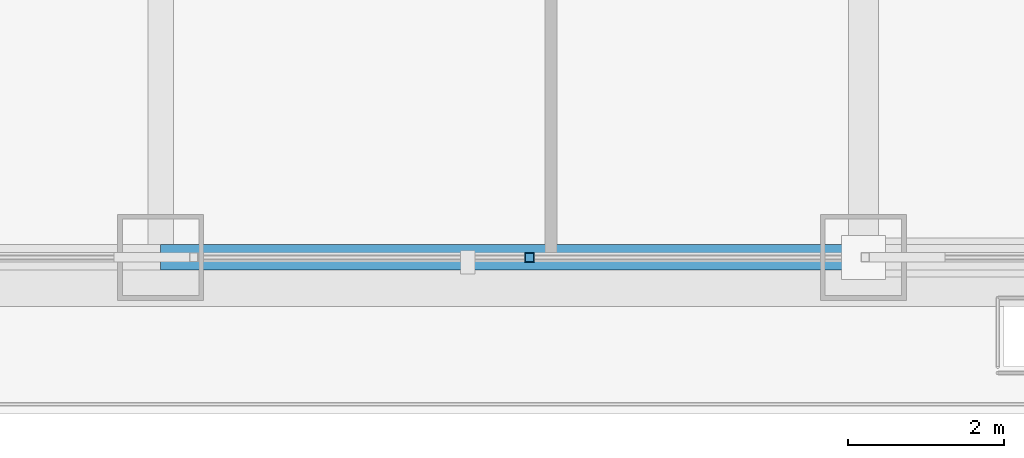
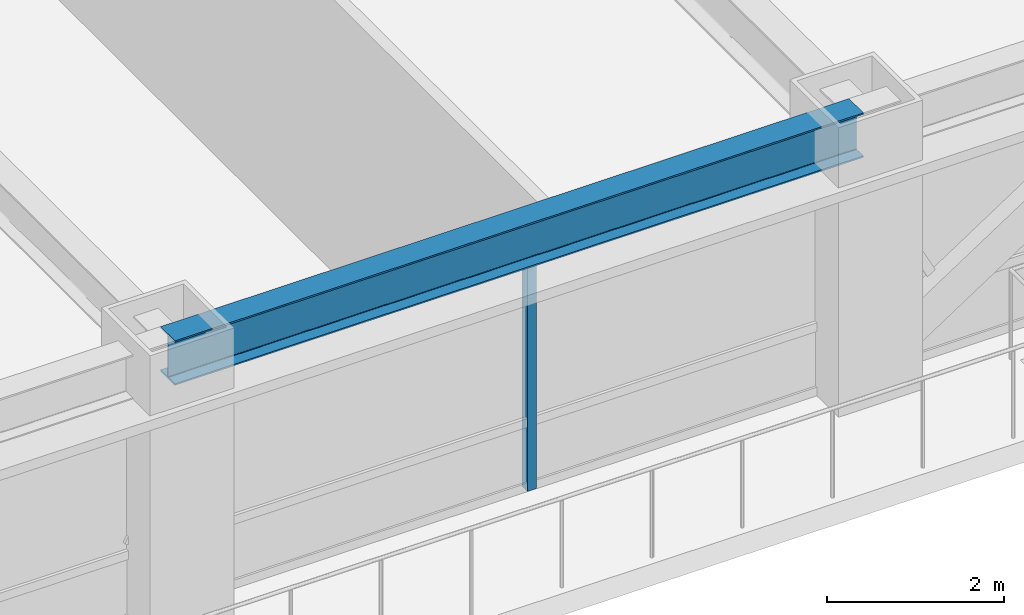
# One storey, part 3 of 35: 1 beam, 1 member, 1 element without a shape of its own.
"""IFC4 building model written with IfcOpenShell, lengths in metres."""

from ifc_helpers import new_model, si_unit, direction, frame, origin, origin_2d, place, context, subcontext, project, spatial, hollow_rectangle, i_section, extrude, source, transform, mapped, material, material_profile, profile_set, type_object, element, aggregate, save


model = new_model("IFC4")

# Units and contexts
model_context = context("Model", 3, precision=1e-05, world=origin(), true_north=direction((0.0, 1.0)))
body_context = subcontext(model_context, "Body", "Model", "MODEL_VIEW")
ifc_project = project(units=[si_unit("LENGTHUNIT", "METRE"), si_unit("AREAUNIT", "SQUARE_METRE"), si_unit("VOLUMEUNIT", "CUBIC_METRE"), si_unit("PLANEANGLEUNIT", "RADIAN"), si_unit("MASSUNIT", "GRAM", prefix="KILO")], contexts=[model_context])

# Site, building, storey
site_placement = place(None, origin())
site = spatial("IfcSite", under=ifc_project, at=site_placement, CompositionType="ELEMENT")
building_placement = place(site_placement, origin())
building = spatial("IfcBuilding", under=site, at=building_placement, Name="Khorayat Bourse Tower", CompositionType="ELEMENT")
storey_placement = place(building_placement, frame((0.0, 0.0, 155.10009765625)))
storey = spatial("IfcBuildingStorey", under=building, at=storey_placement, Name="L35", CompositionType="ELEMENT", Elevation=155.10009765625)

# Beam
ifc_material_1 = material(Name="Steel ASTM A992 Grade 50", Category="steel")
ifc_material_profile_1 = material_profile(ifc_material_1, i_section(OverallWidth=0.324951171875, OverallDepth=0.615966796875, WebThickness=0.013916015625, FlangeThickness=0.021484375, FilletRadius=0.01611328125, at=origin_2d()), Name="W610X174")
ifc_profile_set_1 = profile_set([ifc_material_profile_1], Name="Steel ASTM A992 Grade 50")
beam_type = type_object("IfcBeamType", Name="BM-SPAN-610", PredefinedType="SPANDREL", material=ifc_profile_set_1)
shared_shape_1 = source(origin(), body_context, "Body", "SweptSolid", [
    extrude(i_section(OverallWidth=0.324951171875, OverallDepth=0.615966796875, WebThickness=0.013916015625, FlangeThickness=0.021484375, FilletRadius=0.01611328125, at=origin_2d()), origin(), (0.0, 0.0, 1.0), 9.0),
])
beam_placement = place(storey_placement, frame((-20.0, -30.0, 3.471923828125), z_axis=(1.0, 0.0, 0.0), x_axis=(0.0, 1.0, 0.0)))
element("IfcBeam", 1, at=beam_placement, inside=storey, type_object=beam_type, Name="L35 BM-SPAN-610 BM-L35-SPN-025", PredefinedType="SPANDREL", context=body_context, shape_type="MappedRepresentation", body=[
    mapped(shared_shape_1, transform((0.0, 0.0, 0.0), scale=1.0)),
])

# Curtain wall, member
ifc_material_2 = material(Name="Aluminium EN AW-6063 T6", Category="aluminium")
curtain_wall_type = type_object("IfcCurtainWallType", Name="CW-SYS-03", PredefinedType="NOTDEFINED", material=ifc_material_2)
curtain_wall_placement = place(storey_placement, origin())
curtain_wall = element("IfcCurtainWall", 2, at=curtain_wall_placement, inside=storey, type_object=curtain_wall_type, Name="L35 Curtain Wall CW-L35-S1", PredefinedType="NOTDEFINED")
ifc_material_profile_2 = material_profile(ifc_material_2, hollow_rectangle(XDim=0.1201171875, YDim=0.1201171875, WallThickness=0.0048828125, at=origin_2d()), Name="ALU 120x120x5")
ifc_profile_set_2 = profile_set([ifc_material_profile_2], Name="Aluminium EN AW-6063 T6")
member_type = type_object("IfcMemberType", Name="CWM-VERT-120", PredefinedType="MULLION", material=ifc_profile_set_2)
shared_shape_2 = source(origin(), body_context, "Body", "SweptSolid", [
    extrude(hollow_rectangle(XDim=0.1201171875, YDim=0.1201171875, WallThickness=0.0048828125, at=origin_2d()), origin(), (0.0, 0.0, 1.0), 3.1298828125),
])
member_placement = place(storey_placement, frame((-15.27490234375, -30.0, 0.0), z_axis=(0.0, 0.0, 1.0), x_axis=(0.0, 1.0, 0.0)))
member = element("IfcMember", 3, at=member_placement, type_object=member_type, Name="CW-L35-S1 Vertical Mullion 2", PredefinedType="MULLION", context=body_context, shape_type="MappedRepresentation", body=[
    mapped(shared_shape_2, transform((0.0, 0.0, 0.0), scale=1.0)),
])
aggregate(curtain_wall, [member])

save(model, "model.ifc")
